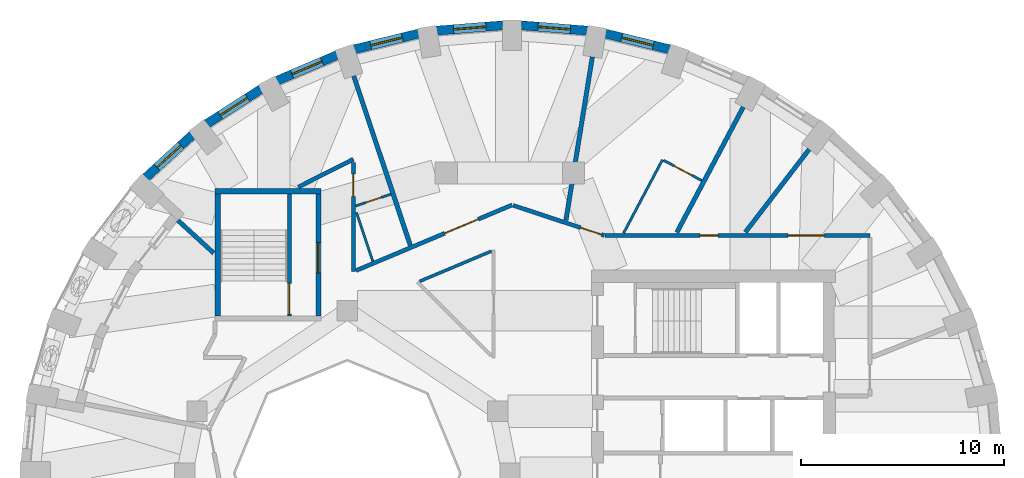
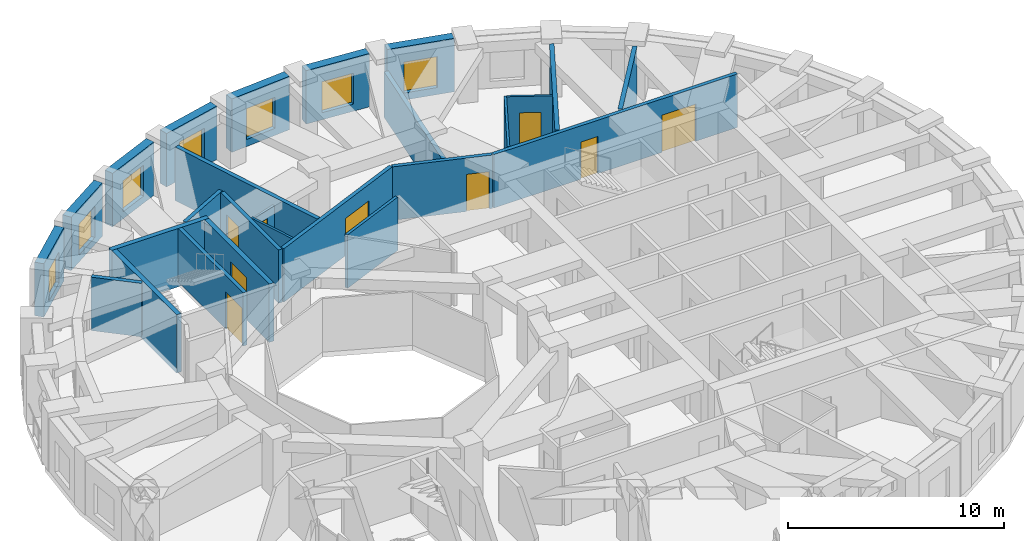
# One storey, part 7 of 11: 26 walls, 9 doors, 7 windows, 16 openings.
"""IFC4 building model written with IfcOpenShell, lengths in metres."""

from ifc_helpers import new_model, si_unit, direction, frame, frame_2d, origin, place, context, subcontext, project, spatial, rectangle, extrude, material, layer, layer_set, type_object, element, fill, save


model = new_model("IFC4")

# Units and contexts
model_context = context("Model", 3, precision=1e-05, world=origin(), true_north=direction((0.0, 1.0)))
body_context = subcontext(model_context, "Body", "Model", "MODEL_VIEW")
ifc_project = project(units=[si_unit("LENGTHUNIT", "METRE"), si_unit("AREAUNIT", "SQUARE_METRE"), si_unit("VOLUMEUNIT", "CUBIC_METRE"), si_unit("PLANEANGLEUNIT", "RADIAN"), si_unit("MASSUNIT", "GRAM", prefix="KILO")], contexts=[model_context])

# Site, building, storey
site_placement = place(None, origin())
site = spatial("IfcSite", under=ifc_project, at=site_placement, CompositionType="ELEMENT")
building_placement = place(site_placement, origin())
building = spatial("IfcBuilding", under=site, at=building_placement, Name="Taillehof Tower", CompositionType="ELEMENT")
storey_placement = place(building_placement, frame((0.0, 0.0, 161.60009765625)))
storey = spatial("IfcBuildingStorey", under=building, at=storey_placement, Name="L45", CompositionType="ELEMENT", Elevation=161.60009765625)

# Wall, opening, window
ifc_material_1 = material(Name="Brick masonry", Category="masonry")
ifc_layer_1 = layer(ifc_material_1, 0.449951171875)
ifc_layer_set_1 = layer_set([ifc_layer_1], Name="Brick infill wall 450")
wall_type_1 = type_object("IfcWallType", Name="Brick infill wall 450", PredefinedType="SOLIDWALL", material=ifc_layer_set_1)
wall_1_placement = place(storey_placement, frame((7.843017578125, 20.8623046875, 0.0), z_axis=(0.0, 0.0, 1.0), x_axis=(-0.971237178372, 0.238114139328, 0.0)))
wall_1 = element("IfcWall", 1, at=wall_1_placement, inside=storey, type_object=wall_type_1, Name="Brick wall L45 bay 8", PredefinedType="SOLIDWALL", context=body_context, shape_type="SweptSolid", body=[
    extrude(rectangle(XDim=3.23681640625, YDim=0.449951171875, at=frame_2d((1.618408203125, 0.0))), origin(), (0.0, 0.0, 1.0), 3.02001953125),
])
opening_1_placement = place(wall_1_placement, frame((0.818359375, 0.0, 0.39990234375)))
opening_1 = element("IfcOpeningElement", 2, at=opening_1_placement, cuts=wall_1, Name="Opening W3", PredefinedType="OPENING", context=body_context, shape_type="SweptSolid", body=[
    extrude(rectangle(XDim=1.60009765625, YDim=1.75, at=frame_2d((0.800048828125, 0.875))), frame((0.0, 0.23486328125, 0.0), z_axis=(0.0, -1.0, 0.0), x_axis=(1.0, 0.0, 0.0)), (0.0, 0.0, 1.0), 0.469970703125),
])
ifc_material_2 = material(Name="Aluminium window frame with clear double glazing", Category="aluminium")
window_type = type_object("IfcWindowType", Name="Deep-set window 1600x1750", PartitioningType="SINGLE_PANEL", PredefinedType="WINDOW", material=ifc_material_2)
window_1_placement = place(opening_1_placement, origin())
window_1 = element("IfcWindow", 3, at=window_1_placement, inside=storey, type_object=window_type, Name="W3", OverallHeight=1.75, OverallWidth=1.60009765625, PartitioningType="SINGLE_PANEL", PredefinedType="WINDOW", context=body_context, shape_type="SweptSolid", body=[
    extrude(rectangle(XDim=1.60009765625, YDim=1.75, at=frame_2d((0.800048828125, 0.875))), frame((0.0, 0.034912109375, 0.0), z_axis=(0.0, -1.0, 0.0), x_axis=(1.0, 0.0, 0.0)), (0.0, 0.0, 1.0), 0.06005859375),
])
fill(opening_1, window_1)

wall_2_placement = place(storey_placement, frame((3.80078125, 21.778076171875, 0.0), z_axis=(0.0, 0.0, 1.0), x_axis=(-0.996812416891, 0.079780984773, 0.0)))
wall_2 = element("IfcWall", 4, at=wall_2_placement, inside=storey, type_object=wall_type_1, Name="Brick wall L45 bay 9", PredefinedType="SOLIDWALL", context=body_context, shape_type="SweptSolid", body=[
    extrude(rectangle(XDim=3.256103515625, YDim=0.449951171875, at=frame_2d((1.6279296875, 0.0))), origin(), (0.0, 0.0, 1.0), 3.02001953125),
])
opening_2_placement = place(wall_2_placement, frame((0.827880859375, 0.0, 0.39990234375)))
opening_2 = element("IfcOpeningElement", 5, at=opening_2_placement, cuts=wall_2, Name="Opening W3", PredefinedType="OPENING", context=body_context, shape_type="SweptSolid", body=[
    extrude(rectangle(XDim=1.60009765625, YDim=1.75, at=frame_2d((0.800048828125, 0.875))), frame((0.0, 0.23486328125, 0.0), z_axis=(0.0, -1.0, 0.0), x_axis=(1.0, 0.0, 0.0)), (0.0, 0.0, 1.0), 0.469970703125),
])
window_2_placement = place(opening_2_placement, origin())
window_2 = element("IfcWindow", 6, at=window_2_placement, inside=storey, type_object=window_type, Name="W3", OverallHeight=1.75, OverallWidth=1.60009765625, PartitioningType="SINGLE_PANEL", PredefinedType="WINDOW", context=body_context, shape_type="SweptSolid", body=[
    extrude(rectangle(XDim=1.60009765625, YDim=1.75, at=frame_2d((0.800048828125, 0.875))), frame((0.0, 0.034912109375, 0.0), z_axis=(0.0, -1.0, 0.0), x_axis=(1.0, 0.0, 0.0)), (0.0, 0.0, 1.0), 0.06005859375),
])
fill(opening_2, window_2)

wall_3_placement = place(storey_placement, frame((-0.35498046875, 22.037841796875, 0.0), z_axis=(0.0, 0.0, 1.0), x_axis=(-0.996812416891, -0.079780984773, 0.0)))
wall_3 = element("IfcWall", 7, at=wall_3_placement, inside=storey, type_object=wall_type_1, Name="Brick wall L45 bay 10", PredefinedType="SOLIDWALL", context=body_context, shape_type="SweptSolid", body=[
    extrude(rectangle(XDim=3.256103515625, YDim=0.449951171875, at=frame_2d((1.6279296875, 0.0))), origin(), (0.0, 0.0, 1.0), 3.02001953125),
])
opening_3_placement = place(wall_3_placement, frame((0.827880859375, 0.0, 0.39990234375)))
opening_3 = element("IfcOpeningElement", 8, at=opening_3_placement, cuts=wall_3, Name="Opening W3", PredefinedType="OPENING", context=body_context, shape_type="SweptSolid", body=[
    extrude(rectangle(XDim=1.60009765625, YDim=1.75, at=frame_2d((0.800048828125, 0.875))), frame((0.0, 0.23486328125, 0.0), z_axis=(0.0, -1.0, 0.0), x_axis=(1.0, 0.0, 0.0)), (0.0, 0.0, 1.0), 0.469970703125),
])
window_3_placement = place(opening_3_placement, origin())
window_3 = element("IfcWindow", 9, at=window_3_placement, inside=storey, type_object=window_type, Name="W3", OverallHeight=1.75, OverallWidth=1.60009765625, PartitioningType="SINGLE_PANEL", PredefinedType="WINDOW", context=body_context, shape_type="SweptSolid", body=[
    extrude(rectangle(XDim=1.60009765625, YDim=1.75, at=frame_2d((0.800048828125, 0.875))), frame((0.0, 0.034912109375, 0.0), z_axis=(0.0, -1.0, 0.0), x_axis=(1.0, 0.0, 0.0)), (0.0, 0.0, 1.0), 0.06005859375),
])
fill(opening_3, window_3)

wall_4_placement = place(storey_placement, frame((-4.499267578125, 21.633056640625, 0.0), z_axis=(0.0, 0.0, 1.0), x_axis=(-0.971232901476, -0.238131583563, 0.0)))
wall_4 = element("IfcWall", 10, at=wall_4_placement, inside=storey, type_object=wall_type_1, Name="Brick wall L45 bay 11", PredefinedType="SOLIDWALL", context=body_context, shape_type="SweptSolid", body=[
    extrude(rectangle(XDim=3.236572265625, YDim=0.449951171875, at=frame_2d((1.6181640625, 0.0))), origin(), (0.0, 0.0, 1.0), 3.02001953125),
])
opening_4_placement = place(wall_4_placement, frame((0.818359375, 0.0, 0.39990234375)))
opening_4 = element("IfcOpeningElement", 11, at=opening_4_placement, cuts=wall_4, Name="Opening W3", PredefinedType="OPENING", context=body_context, shape_type="SweptSolid", body=[
    extrude(rectangle(XDim=1.60009765625, YDim=1.75, at=frame_2d((0.800048828125, 0.875))), frame((0.0, 0.23486328125, 0.0), z_axis=(0.0, -1.0, 0.0), x_axis=(1.0, 0.0, 0.0)), (0.0, 0.0, 1.0), 0.469970703125),
])
window_4_placement = place(opening_4_placement, origin())
window_4 = element("IfcWindow", 12, at=window_4_placement, inside=storey, type_object=window_type, Name="W3", OverallHeight=1.75, OverallWidth=1.60009765625, PartitioningType="SINGLE_PANEL", PredefinedType="WINDOW", context=body_context, shape_type="SweptSolid", body=[
    extrude(rectangle(XDim=1.60009765625, YDim=1.75, at=frame_2d((0.800048828125, 0.875))), frame((0.0, 0.034912109375, 0.0), z_axis=(0.0, -1.0, 0.0), x_axis=(1.0, 0.0, 0.0)), (0.0, 0.0, 1.0), 0.06005859375),
])
fill(opening_4, window_4)

wall_5_placement = place(storey_placement, frame((-8.50634765625, 20.574462890625, 0.0), z_axis=(0.0, 0.0, 1.0), x_axis=(-0.919798725687, -0.392390499663, 0.0)))
wall_5 = element("IfcWall", 13, at=wall_5_placement, inside=storey, type_object=wall_type_1, Name="Brick wall L45 bay 12", PredefinedType="SOLIDWALL", context=body_context, shape_type="SweptSolid", body=[
    extrude(rectangle(XDim=3.200439453125, YDim=0.449951171875, at=frame_2d((1.60009765625, 0.0))), origin(), (0.0, 0.0, 1.0), 3.02001953125),
])
opening_5_placement = place(wall_5_placement, frame((0.80029296875, 0.0, 0.39990234375)))
opening_5 = element("IfcOpeningElement", 14, at=opening_5_placement, cuts=wall_5, Name="Opening W3", PredefinedType="OPENING", context=body_context, shape_type="SweptSolid", body=[
    extrude(rectangle(XDim=1.60009765625, YDim=1.75, at=frame_2d((0.800048828125, 0.875))), frame((0.0, 0.23486328125, 0.0), z_axis=(0.0, -1.0, 0.0), x_axis=(1.0, 0.0, 0.0)), (0.0, 0.0, 1.0), 0.469970703125),
])
window_5_placement = place(opening_5_placement, origin())
window_5 = element("IfcWindow", 15, at=window_5_placement, inside=storey, type_object=window_type, Name="W3", OverallHeight=1.75, OverallWidth=1.60009765625, PartitioningType="SINGLE_PANEL", PredefinedType="WINDOW", context=body_context, shape_type="SweptSolid", body=[
    extrude(rectangle(XDim=1.60009765625, YDim=1.75, at=frame_2d((0.800048828125, 0.875))), frame((0.0, 0.034912109375, 0.0), z_axis=(0.0, -1.0, 0.0), x_axis=(1.0, 0.0, 0.0)), (0.0, 0.0, 1.0), 0.06005859375),
])
fill(opening_5, window_5)

wall_6_placement = place(storey_placement, frame((-12.2548828125, 18.893310546875, 0.0), z_axis=(0.0, 0.0, 1.0), x_axis=(-0.842030726237, -0.539429565442, 0.0)))
wall_6 = element("IfcWall", 16, at=wall_6_placement, inside=storey, type_object=wall_type_1, Name="Brick wall L45 bay 13", PredefinedType="SOLIDWALL", context=body_context, shape_type="SweptSolid", body=[
    extrude(rectangle(XDim=3.1513671875, YDim=0.449951171875, at=frame_2d((1.57568359375, 0.0))), origin(), (0.0, 0.0, 1.0), 3.02001953125),
])
opening_6_placement = place(wall_6_placement, frame((0.775634765625, 0.0, 0.39990234375)))
opening_6 = element("IfcOpeningElement", 17, at=opening_6_placement, cuts=wall_6, Name="Opening W3", PredefinedType="OPENING", context=body_context, shape_type="SweptSolid", body=[
    extrude(rectangle(XDim=1.60009765625, YDim=1.75, at=frame_2d((0.800048828125, 0.875))), frame((0.0, 0.23486328125, 0.0), z_axis=(0.0, -1.0, 0.0), x_axis=(1.0, 0.0, 0.0)), (0.0, 0.0, 1.0), 0.469970703125),
])
window_6_placement = place(opening_6_placement, origin())
window_6 = element("IfcWindow", 18, at=window_6_placement, inside=storey, type_object=window_type, Name="W3", OverallHeight=1.75, OverallWidth=1.60009765625, PartitioningType="SINGLE_PANEL", PredefinedType="WINDOW", context=body_context, shape_type="SweptSolid", body=[
    extrude(rectangle(XDim=1.60009765625, YDim=1.75, at=frame_2d((0.800048828125, 0.875))), frame((0.0, 0.034912109375, 0.0), z_axis=(0.0, -1.0, 0.0), x_axis=(1.0, 0.0, 0.0)), (0.0, 0.0, 1.0), 0.06005859375),
])
fill(opening_6, window_6)

wall_7_placement = place(storey_placement, frame((-15.630126953125, 16.638671875, 0.0), z_axis=(0.0, 0.0, 1.0), x_axis=(-0.737808755941, -0.675009807082, 0.0)))
wall_7 = element("IfcWall", 19, at=wall_7_placement, inside=storey, type_object=wall_type_1, Name="Brick wall L45 bay 14", PredefinedType="SOLIDWALL", context=body_context, shape_type="SweptSolid", body=[
    extrude(rectangle(XDim=3.094482421875, YDim=0.449951171875, at=frame_2d((1.54736328125, 0.0))), origin(), (0.0, 0.0, 1.0), 3.02001953125),
])
opening_7_placement = place(wall_7_placement, frame((0.747314453125, 0.0, 0.39990234375)))
opening_7 = element("IfcOpeningElement", 20, at=opening_7_placement, cuts=wall_7, Name="Opening W3", PredefinedType="OPENING", context=body_context, shape_type="SweptSolid", body=[
    extrude(rectangle(XDim=1.60009765625, YDim=1.75, at=frame_2d((0.800048828125, 0.875))), frame((0.0, 0.23486328125, 0.0), z_axis=(0.0, -1.0, 0.0), x_axis=(1.0, 0.0, 0.0)), (0.0, 0.0, 1.0), 0.469970703125),
])
window_7_placement = place(opening_7_placement, origin())
window_7 = element("IfcWindow", 21, at=window_7_placement, inside=storey, type_object=window_type, Name="W3", OverallHeight=1.75, OverallWidth=1.60009765625, PartitioningType="SINGLE_PANEL", PredefinedType="WINDOW", context=body_context, shape_type="SweptSolid", body=[
    extrude(rectangle(XDim=1.60009765625, YDim=1.75, at=frame_2d((0.800048828125, 0.875))), frame((0.0, 0.034912109375, 0.0), z_axis=(0.0, -1.0, 0.0), x_axis=(1.0, 0.0, 0.0)), (0.0, 0.0, 1.0), 0.06005859375),
])
fill(opening_7, window_7)

# Wall
ifc_material_3 = material(Name="Gypsum board on steel studs, two layers each side", Category="steel")
ifc_layer_2 = layer(ifc_material_3, 0.199951171875)
ifc_layer_set_2 = layer_set([ifc_layer_2], Name="Compartment wall corridor 200")
wall_type_2 = type_object("IfcWallType", Name="Compartment wall corridor 200", PredefinedType="PARTITIONING", material=ifc_layer_set_2)
wall_8_placement = place(storey_placement, frame((-10.416259765625, 14.08154296875, 0.0), z_axis=(0.0, 0.0, 1.0), x_axis=(0.892396808139, 0.451251522793, 0.0)))
element("IfcWall", 22, at=wall_8_placement, inside=storey, type_object=wall_type_2, Name="Compartment wall", PredefinedType="PARTITIONING", context=body_context, shape_type="SweptSolid", body=[
    extrude(rectangle(XDim=3.0439453125, YDim=0.199951171875, at=frame_2d((1.52197265625, 0.0))), origin(), (0.0, 0.0, 1.0), 3.02001953125),
])

# Wall, opening, door
wall_9_placement = place(storey_placement, frame((-7.699951171875, 15.294921875, 0.0), z_axis=(0.0, 0.0, 1.0), x_axis=(0.0, -1.0, 0.0)))
wall_9 = element("IfcWall", 23, at=wall_9_placement, inside=storey, type_object=wall_type_2, Name="Compartment wall", PredefinedType="PARTITIONING", context=body_context, shape_type="SweptSolid", body=[
    extrude(rectangle(XDim=5.375, YDim=0.199951171875, at=frame_2d((2.6875, 0.0))), origin(), (0.0, 0.0, 1.0), 3.02001953125),
])
opening_8_placement = place(wall_9_placement, frame((0.5703125, 0.0, 0.0)))
opening_8 = element("IfcOpeningElement", 24, at=opening_8_placement, cuts=wall_9, Name="Opening D4544", PredefinedType="OPENING", context=body_context, shape_type="SweptSolid", body=[
    extrude(rectangle(XDim=1.10009765625, YDim=2.10009765625, at=frame_2d((0.550048828125, 1.050048828125))), frame((0.0, 0.10986328125, 0.0), z_axis=(0.0, -1.0, 0.0), x_axis=(1.0, 0.0, 0.0)), (0.0, 0.0, 1.0), 0.219970703125),
])
ifc_material_4 = material(Name="Timber door leaf in steel frame", Category="steel")
door_type_1 = type_object("IfcDoorType", Name="Suite entrance door EI 30 1100 x 2100", OperationType="SINGLE_SWING_LEFT", PredefinedType="DOOR", material=ifc_material_4)
door_1_placement = place(opening_8_placement, origin())
door_1 = element("IfcDoor", 25, at=door_1_placement, inside=storey, type_object=door_type_1, Name="D4544", OperationType="SINGLE_SWING_RIGHT", OverallHeight=2.10009765625, OverallWidth=1.10009765625, PredefinedType="DOOR", context=body_context, shape_type="SweptSolid", body=[
    extrude(rectangle(XDim=1.10009765625, YDim=2.10009765625, at=frame_2d((0.550048828125, 1.050048828125))), frame((0.0, 0.02490234375, 0.0), z_axis=(0.0, -1.0, 0.0), x_axis=(1.0, 0.0, 0.0)), (0.0, 0.0, 1.0), 0.050048828125),
])
fill(opening_8, door_1)

wall_10_placement = place(storey_placement, frame((-7.570068359375, 9.974609375, 0.0), z_axis=(0.0, 0.0, 1.0), x_axis=(0.921815879705, 0.387628022624, 0.0)))
wall_10 = element("IfcWall", 26, at=wall_10_placement, inside=storey, type_object=wall_type_2, Name="Compartment wall", PredefinedType="PARTITIONING", context=body_context, shape_type="SweptSolid", body=[
    extrude(rectangle(XDim=8.32080078125, YDim=0.199951171875, at=frame_2d((4.160400390625, 0.0))), origin(), (0.0, 0.0, 1.0), 3.02001953125),
])
opening_9_placement = place(wall_10_placement, frame((4.721435546875, 0.0, 0.0)))
opening_9 = element("IfcOpeningElement", 27, at=opening_9_placement, cuts=wall_10, Name="Opening D4543", PredefinedType="OPENING", context=body_context, shape_type="SweptSolid", body=[
    extrude(rectangle(XDim=1.800048828125, YDim=2.10009765625, at=frame_2d((0.89990234375, 1.050048828125))), frame((0.0, 0.10986328125, 0.0), z_axis=(0.0, -1.0, 0.0), x_axis=(1.0, 0.0, 0.0)), (0.0, 0.0, 1.0), 0.219970703125),
])
ifc_material_5 = material(Name="Timber door leaf in steel frame", Category="steel")
door_type_2 = type_object("IfcDoorType", Name="Lounge and meeting room double door EI 30 1800 x 2100", OperationType="SINGLE_SWING_LEFT", PredefinedType="DOOR", material=ifc_material_5)
door_2_placement = place(opening_9_placement, origin())
door_2 = element("IfcDoor", 28, at=door_2_placement, inside=storey, type_object=door_type_2, Name="D4543", OperationType="DOUBLE_DOOR_SINGLE_SWING", OverallHeight=2.10009765625, OverallWidth=1.800048828125, PredefinedType="DOOR", context=body_context, shape_type="SweptSolid", body=[
    extrude(rectangle(XDim=1.800048828125, YDim=2.10009765625, at=frame_2d((0.89990234375, 1.050048828125))), frame((0.0, 0.02490234375, 0.0), z_axis=(0.0, -1.0, 0.0), x_axis=(1.0, 0.0, 0.0)), (0.0, 0.0, 1.0), 0.050048828125),
])
fill(opening_9, door_2)

wall_11_placement = place(storey_placement, frame((0.1572265625, 13.180908203125, 0.0), z_axis=(0.0, 0.0, 1.0), x_axis=(0.949543217684, -0.313636218811, 0.0)))
wall_11 = element("IfcWall", 29, at=wall_11_placement, inside=storey, type_object=wall_type_2, Name="Compartment wall", PredefinedType="PARTITIONING", context=body_context, shape_type="SweptSolid", body=[
    extrude(rectangle(XDim=4.721923828125, YDim=0.199951171875, at=frame_2d((2.36083984375, 0.0))), origin(), (0.0, 0.0, 1.0), 3.02001953125),
])
opening_10_placement = place(wall_11_placement, frame((3.48193359375, 0.0, 0.0)))
opening_10 = element("IfcOpeningElement", 30, at=opening_10_placement, cuts=wall_11, Name="Opening D4541", PredefinedType="OPENING", context=body_context, shape_type="SweptSolid", body=[
    extrude(rectangle(XDim=1.10009765625, YDim=2.10009765625, at=frame_2d((0.550048828125, 1.050048828125))), frame((0.0, 0.10986328125, 0.0), z_axis=(0.0, -1.0, 0.0), x_axis=(1.0, 0.0, 0.0)), (0.0, 0.0, 1.0), 0.219970703125),
])
ifc_material_6 = material(Name="Timber door leaf in steel frame", Category="steel")
door_type_3 = type_object("IfcDoorType", Name="Accessible guest room door EI 30 1100 x 2100", OperationType="SINGLE_SWING_LEFT", PredefinedType="DOOR", material=ifc_material_6)
door_3_placement = place(opening_10_placement, origin())
door_3 = element("IfcDoor", 31, at=door_3_placement, inside=storey, type_object=door_type_3, Name="D4541", OperationType="SINGLE_SWING_RIGHT", OverallHeight=2.10009765625, OverallWidth=1.10009765625, PredefinedType="DOOR", context=body_context, shape_type="SweptSolid", body=[
    extrude(rectangle(XDim=1.10009765625, YDim=2.10009765625, at=frame_2d((0.550048828125, 1.050048828125))), frame((0.0, 0.02490234375, 0.0), z_axis=(0.0, -1.0, 0.0), x_axis=(1.0, 0.0, 0.0)), (0.0, 0.0, 1.0), 0.050048828125),
])
fill(opening_10, door_3)

# Wall, openings, doors
wall_12_placement = place(storey_placement, frame((4.680908203125, 11.699951171875, 0.0), z_axis=(0.0, 0.0, 1.0), x_axis=(1.0, 0.0, 0.0)))
wall_12 = element("IfcWall", 32, at=wall_12_placement, inside=storey, type_object=wall_type_2, Name="Compartment wall", PredefinedType="PARTITIONING", context=body_context, shape_type="SweptSolid", body=[
    extrude(rectangle(XDim=13.01904296875, YDim=0.199951171875, at=frame_2d((6.509521484375, 0.0))), origin(), (0.0, 0.0, 1.0), 3.02001953125),
])
opening_11_placement = place(wall_12_placement, frame((4.661865234375, 0.0, 0.0)))
opening_11 = element("IfcOpeningElement", 33, at=opening_11_placement, cuts=wall_12, Name="Opening D4540", PredefinedType="OPENING", context=body_context, shape_type="SweptSolid", body=[
    extrude(rectangle(XDim=0.89990234375, YDim=2.10009765625, at=frame_2d((0.449951171875, 1.050048828125))), frame((0.0, 0.10986328125, 0.0), z_axis=(0.0, -1.0, 0.0), x_axis=(1.0, 0.0, 0.0)), (0.0, 0.0, 1.0), 0.219970703125),
])
opening_12_placement = place(wall_12_placement, frame((8.98974609375, 0.0, 0.0)))
opening_12 = element("IfcOpeningElement", 34, at=opening_12_placement, cuts=wall_12, Name="Opening D4558", PredefinedType="OPENING", context=body_context, shape_type="SweptSolid", body=[
    extrude(rectangle(XDim=1.800048828125, YDim=2.10009765625, at=frame_2d((0.89990234375, 1.050048828125))), frame((0.0, 0.10986328125, 0.0), z_axis=(0.0, -1.0, 0.0), x_axis=(1.0, 0.0, 0.0)), (0.0, 0.0, 1.0), 0.219970703125),
])
door_4_placement = place(opening_12_placement, origin())
door_4 = element("IfcDoor", 35, at=door_4_placement, inside=storey, type_object=door_type_2, Name="D4558", OperationType="DOUBLE_DOOR_SINGLE_SWING", OverallHeight=2.10009765625, OverallWidth=1.800048828125, PredefinedType="DOOR", context=body_context, shape_type="SweptSolid", body=[
    extrude(rectangle(XDim=1.800048828125, YDim=2.10009765625, at=frame_2d((0.89990234375, 1.050048828125))), frame((0.0, 0.02490234375, 0.0), z_axis=(0.0, -1.0, 0.0), x_axis=(1.0, 0.0, 0.0)), (0.0, 0.0, 1.0), 0.050048828125),
])
fill(opening_12, door_4)
ifc_material_7 = material(Name="Timber door leaf in steel frame", Category="steel")
door_type_4 = type_object("IfcDoorType", Name="Service room door EI 30 900 x 2100", OperationType="SINGLE_SWING_LEFT", PredefinedType="DOOR", material=ifc_material_7)
door_5_placement = place(opening_11_placement, origin())
door_5 = element("IfcDoor", 36, at=door_5_placement, inside=storey, type_object=door_type_4, Name="D4540", OperationType="SINGLE_SWING_LEFT", OverallHeight=2.10009765625, OverallWidth=0.89990234375, PredefinedType="DOOR", context=body_context, shape_type="SweptSolid", body=[
    extrude(rectangle(XDim=0.89990234375, YDim=2.10009765625, at=frame_2d((0.449951171875, 1.050048828125))), frame((0.0, 0.02490234375, 0.0), z_axis=(0.0, -1.0, 0.0), x_axis=(1.0, 0.0, 0.0)), (0.0, 0.0, 1.0), 0.050048828125),
])
fill(opening_11, door_5)

# Walls
ifc_material_8 = material(Name="Gypsum board on double steel studs with mineral wool", Category="steel")
ifc_layer_3 = layer(ifc_material_8, 0.219970703125)
ifc_layer_set_3 = layer_set([ifc_layer_3], Name="Compartment wall guest room 220")
wall_type_3 = type_object("IfcWallType", Name="Compartment wall guest room 220", PredefinedType="PARTITIONING", material=ifc_layer_set_3)
wall_13_placement = place(storey_placement, frame((14.7158203125, 15.937255859375, 0.0), z_axis=(0.0, 0.0, 1.0), x_axis=(-0.609997597499, -0.792403262894, 0.0)))
element("IfcWall", 37, at=wall_13_placement, inside=storey, type_object=wall_type_3, Name="Compartment wall", PredefinedType="PARTITIONING", context=body_context, shape_type="SweptSolid", body=[
    extrude(rectangle(XDim=5.140869140625, YDim=0.219970703125, at=frame_2d((2.5703125, 0.0))), origin(), (0.0, 0.0, 1.0), 3.02001953125),
])
wall_14_placement = place(storey_placement, frame((11.473876953125, 18.013427734375, 0.0), z_axis=(0.0, 0.0, 1.0), x_axis=(-0.468047008097, -0.883703569197, 0.0)))
element("IfcWall", 38, at=wall_14_placement, inside=storey, type_object=wall_type_3, Name="Compartment wall", PredefinedType="PARTITIONING", context=body_context, shape_type="SweptSolid", body=[
    extrude(rectangle(XDim=6.971435546875, YDim=0.219970703125, at=frame_2d((3.48583984375, 0.0))), origin(), (0.0, 0.0, 1.0), 3.02001953125),
])
wall_15_placement = place(storey_placement, frame((4.05224609375, 20.483642578125, 0.0), z_axis=(0.0, 0.0, 1.0), x_axis=(-0.159683255106, -0.987168302793, 0.0)))
element("IfcWall", 39, at=wall_15_placement, inside=storey, type_object=wall_type_3, Name="Compartment wall", PredefinedType="PARTITIONING", context=body_context, shape_type="SweptSolid", body=[
    extrude(rectangle(XDim=8.138427734375, YDim=0.219970703125, at=frame_2d((4.0693359375, 0.0))), origin(), (0.0, 0.0, 1.0), 2.56982421875),
])
wall_16_placement = place(storey_placement, frame((-7.682861328125, 19.544921875, 0.0), z_axis=(0.0, 0.0, 1.0), x_axis=(0.316703700313, -0.948524520615, 0.0)))
element("IfcWall", 40, at=wall_16_placement, inside=storey, type_object=wall_type_3, Name="Compartment wall", PredefinedType="PARTITIONING", context=body_context, shape_type="SweptSolid", body=[
    extrude(rectangle(XDim=8.77099609375, YDim=0.219970703125, at=frame_2d((4.385498046875, 0.0))), origin(), (0.0, 0.0, 1.0), 3.02001953125),
])
wall_17_placement = place(storey_placement, frame((-16.333984375, 12.445068359375, 0.0), z_axis=(0.0, 0.0, 1.0), x_axis=(0.737857346278, -0.674956692347, 0.0)))
element("IfcWall", 41, at=wall_17_placement, inside=storey, type_object=wall_type_3, Name="Compartment wall", PredefinedType="PARTITIONING", context=body_context, shape_type="SweptSolid", body=[
    extrude(rectangle(XDim=2.390869140625, YDim=0.219970703125, at=frame_2d((1.1953125, 0.0))), origin(), (0.0, 0.0, 1.0), 3.02001953125),
])
ifc_material_9 = material(Name="Gypsum board on steel studs, two layers each side", Category="steel")
ifc_layer_4 = layer(ifc_material_9, 0.14990234375)
ifc_layer_set_4 = layer_set([ifc_layer_4], Name="Compartment wall service room 150")
wall_type_4 = type_object("IfcWallType", Name="Compartment wall service room 150", PredefinedType="PARTITIONING", material=ifc_layer_set_4)
wall_18_placement = place(storey_placement, frame((-4.44384765625, 9.445068359375, 0.0), z_axis=(0.0, 0.0, 1.0), x_axis=(0.921822351054, 0.387612632788, 0.0)))
element("IfcWall", 42, at=wall_18_placement, inside=storey, type_object=wall_type_4, Name="Compartment wall", PredefinedType="PARTITIONING", context=body_context, shape_type="SweptSolid", body=[
    extrude(rectangle(XDim=3.83203125, YDim=0.14990234375, at=frame_2d((1.916015625, 0.0))), origin(), (0.0, 0.0, 1.0), 3.02001953125),
])
ifc_material_10 = material(Name="Gypsum board on steel studs, moisture resistant", Category="steel")
ifc_layer_5 = layer(ifc_material_10, 0.1201171875)
ifc_layer_set_5 = layer_set([ifc_layer_5], Name="En-suite wall 120")
wall_type_5 = type_object("IfcWallType", Name="En-suite wall 120", PredefinedType="PARTITIONING", material=ifc_layer_set_5)
wall_19_placement = place(storey_placement, frame((5.589599609375, 11.817626953125, 0.0), z_axis=(0.0, 0.0, 1.0), x_axis=(0.468055206857, 0.883699226736, 0.0)))
element("IfcWall", 43, at=wall_19_placement, inside=storey, type_object=wall_type_5, Name="En-suite wall", PredefinedType="PARTITIONING", context=body_context, shape_type="SweptSolid", body=[
    extrude(rectangle(XDim=4.085205078125, YDim=0.1201171875, at=frame_2d((2.04248046875, 0.0))), origin(), (0.0, 0.0, 1.0), 3.02001953125),
])
wall_20_placement = place(storey_placement, frame((-6.74755859375, 10.428955078125, 0.0), z_axis=(0.0, 0.0, 1.0), x_axis=(-0.316690754737, 0.948528842927, 0.0)))
element("IfcWall", 44, at=wall_20_placement, inside=storey, type_object=wall_type_5, Name="En-suite wall", PredefinedType="PARTITIONING", context=body_context, shape_type="SweptSolid", body=[
    extrude(rectangle(XDim=2.531005859375, YDim=0.1201171875, at=frame_2d((1.265625, 0.0))), origin(), (0.0, 0.0, 1.0), 3.02001953125),
])

# Wall, opening, door
wall_21_placement = place(storey_placement, frame((7.5546875, 15.399658203125, 0.0), z_axis=(0.0, 0.0, 1.0), x_axis=(0.883681952223, -0.468087820088, 0.0)))
wall_21 = element("IfcWall", 45, at=wall_21_placement, inside=storey, type_object=wall_type_5, Name="En-suite wall", PredefinedType="PARTITIONING", context=body_context, shape_type="SweptSolid", body=[
    extrude(rectangle(XDim=2.130126953125, YDim=0.1201171875, at=frame_2d((1.06494140625, 0.0))), origin(), (0.0, 0.0, 1.0), 3.02001953125),
])
opening_13_placement = place(wall_21_placement, frame((0.590087890625, 0.0, 0.0)))
opening_13 = element("IfcOpeningElement", 46, at=opening_13_placement, cuts=wall_21, Name="Opening D4542", PredefinedType="OPENING", context=body_context, shape_type="SweptSolid", body=[
    extrude(rectangle(XDim=1.0, YDim=2.10009765625, at=frame_2d((0.5, 1.050048828125))), frame((0.0, 0.070068359375, 0.0), z_axis=(0.0, -1.0, 0.0), x_axis=(1.0, 0.0, 0.0)), (0.0, 0.0, 1.0), 0.14013671875),
])
ifc_material_11 = material(Name="Timber door leaf in steel frame", Category="steel")
door_type_5 = type_object("IfcDoorType", Name="Accessible en-suite door 1000 x 2100", OperationType="SINGLE_SWING_LEFT", PredefinedType="DOOR", material=ifc_material_11)
door_6_placement = place(opening_13_placement, origin())
door_6 = element("IfcDoor", 47, at=door_6_placement, inside=storey, type_object=door_type_5, Name="D4542", OperationType="SINGLE_SWING_RIGHT", OverallHeight=2.10009765625, OverallWidth=1.0, PredefinedType="DOOR", context=body_context, shape_type="SweptSolid", body=[
    extrude(rectangle(XDim=1.0, YDim=2.10009765625, at=frame_2d((0.5, 1.050048828125))), frame((0.0, 0.02490234375, 0.0), z_axis=(0.0, -1.0, 0.0), x_axis=(1.0, 0.0, 0.0)), (0.0, 0.0, 1.0), 0.050048828125),
])
fill(opening_13, door_6)

wall_22_placement = place(storey_placement, frame((-7.59375, 13.15283203125, 0.0), z_axis=(0.0, 0.0, 1.0), x_axis=(0.948563158378, 0.316587957079, 0.0)))
wall_22 = element("IfcWall", 48, at=wall_22_placement, inside=storey, type_object=wall_type_5, Name="En-suite wall", PredefinedType="PARTITIONING", context=body_context, shape_type="SweptSolid", body=[
    extrude(rectangle(XDim=1.830078125, YDim=0.1201171875, at=frame_2d((0.9150390625, 0.0))), origin(), (0.0, 0.0, 1.0), 2.56982421875),
])
opening_14_placement = place(wall_22_placement, frame((0.539794921875, 0.0, 0.0)))
opening_14 = element("IfcOpeningElement", 49, at=opening_14_placement, cuts=wall_22, Name="Opening D4545", PredefinedType="OPENING", context=body_context, shape_type="SweptSolid", body=[
    extrude(rectangle(XDim=0.800048828125, YDim=2.10009765625, at=frame_2d((0.39990234375, 1.050048828125))), frame((0.0, 0.070068359375, 0.0), z_axis=(0.0, -1.0, 0.0), x_axis=(1.0, 0.0, 0.0)), (0.0, 0.0, 1.0), 0.14013671875),
])
ifc_material_12 = material(Name="Timber door leaf in steel frame", Category="steel")
door_type_6 = type_object("IfcDoorType", Name="En-suite door 800 x 2100", OperationType="SINGLE_SWING_LEFT", PredefinedType="DOOR", material=ifc_material_12)
door_7_placement = place(opening_14_placement, origin())
door_7 = element("IfcDoor", 50, at=door_7_placement, inside=storey, type_object=door_type_6, Name="D4545", OperationType="SINGLE_SWING_LEFT", OverallHeight=2.10009765625, OverallWidth=0.800048828125, PredefinedType="DOOR", context=body_context, shape_type="SweptSolid", body=[
    extrude(rectangle(XDim=0.800048828125, YDim=2.10009765625, at=frame_2d((0.39990234375, 1.050048828125))), frame((0.0, 0.02490234375, 0.0), z_axis=(0.0, -1.0, 0.0), x_axis=(1.0, 0.0, 0.0)), (0.0, 0.0, 1.0), 0.050048828125),
])
fill(opening_14, door_7)

ifc_material_13 = material(Name="Concrete C50/60", Category="concrete")
ifc_layer_6 = layer(ifc_material_13, 0.199951171875)
ifc_layer_set_6 = layer_set([ifc_layer_6], Name="Shaft wall C50/60 200")
wall_type_6 = type_object("IfcWallType", Name="Shaft wall C50/60 200", PredefinedType="SHEAR", material=ifc_layer_set_6)
wall_23_placement = place(storey_placement, frame((-10.85009765625, 7.75, 0.0), z_axis=(0.0, 0.0, 1.0), x_axis=(0.0, 1.0, 0.0)))
wall_23 = element("IfcWall", 51, at=wall_23_placement, inside=storey, type_object=wall_type_6, Name="Shaft wall SW", PredefinedType="SHEAR", context=body_context, shape_type="SweptSolid", body=[
    extrude(rectangle(XDim=6.0, YDim=0.199951171875, at=frame_2d((3.0, 0.0))), origin(), (0.0, 0.0, 1.0), 3.02001953125),
])
opening_15_placement = place(wall_23_placement, frame((0.10009765625, 0.0, 0.0)))
opening_15 = element("IfcOpeningElement", 52, at=opening_15_placement, cuts=wall_23, Name="Opening D4512", PredefinedType="OPENING", context=body_context, shape_type="SweptSolid", body=[
    extrude(rectangle(XDim=1.5, YDim=2.10009765625, at=frame_2d((0.75, 1.050048828125))), frame((0.0, 0.10986328125, 0.0), z_axis=(0.0, -1.0, 0.0), x_axis=(1.0, 0.0, 0.0)), (0.0, 0.0, 1.0), 0.219970703125),
])
ifc_material_14 = material(Name="Steel-faced fire door", Category="steel")
door_type_7 = type_object("IfcDoorType", Name="Stair door 1500x2100", OperationType="DOUBLE_DOOR_SINGLE_SWING", PredefinedType="DOOR", material=ifc_material_14)
door_8_placement = place(opening_15_placement, origin())
door_8 = element("IfcDoor", 53, at=door_8_placement, inside=storey, type_object=door_type_7, Name="Stair lobby door S3", OperationType="DOUBLE_DOOR_SINGLE_SWING", OverallHeight=2.10009765625, OverallWidth=1.5, PredefinedType="DOOR", context=body_context, shape_type="SweptSolid", body=[
    extrude(rectangle(XDim=1.5, YDim=2.10009765625, at=frame_2d((0.75, 1.050048828125))), frame((0.0, 0.02490234375, 0.0), z_axis=(0.0, -1.0, 0.0), x_axis=(1.0, 0.0, 0.0)), (0.0, 0.0, 1.0), 0.050048828125),
])
fill(opening_15, door_8)

# Wall
ifc_material_15 = material(Name="Concrete C50/60", Category="concrete")
ifc_layer_7 = layer(ifc_material_15, 0.25)
ifc_layer_set_7 = layer_set([ifc_layer_7], Name="Stair wall C50/60 250")
wall_type_7 = type_object("IfcWallType", Name="Stair wall C50/60 250", PredefinedType="SHEAR", material=ifc_layer_set_7)
wall_24_placement = place(storey_placement, frame((-14.375, 7.75, -0.280029296875), z_axis=(0.0, 0.0, 1.0), x_axis=(0.0, 1.0, 0.0)))
element("IfcWall", 54, at=wall_24_placement, inside=storey, type_object=wall_type_7, Name="Stair wall SC", PredefinedType="SHEAR", context=body_context, shape_type="SweptSolid", body=[
    extrude(rectangle(XDim=6.0, YDim=0.25, at=frame_2d((3.0, 0.0))), origin(), (0.0, 0.0, 1.0), 3.300048828125),
])

# Wall, opening, door
wall_25_placement = place(storey_placement, frame((-9.425048828125, 7.75, -0.280029296875), z_axis=(0.0, 0.0, 1.0), x_axis=(0.0, 1.0, 0.0)))
wall_25 = element("IfcWall", 55, at=wall_25_placement, inside=storey, type_object=wall_type_7, Name="Stair wall SC", PredefinedType="SHEAR", context=body_context, shape_type="SweptSolid", body=[
    extrude(rectangle(XDim=6.0, YDim=0.25, at=frame_2d((3.0, 0.0))), origin(), (0.0, 0.0, 1.0), 3.300048828125),
])
opening_16_placement = place(wall_25_placement, frame((2.10009765625, 0.0, 0.280029296875)))
opening_16 = element("IfcOpeningElement", 56, at=opening_16_placement, cuts=wall_25, Name="Opening D4515", PredefinedType="OPENING", context=body_context, shape_type="SweptSolid", body=[
    extrude(rectangle(XDim=1.5, YDim=2.10009765625, at=frame_2d((0.75, 1.050048828125))), frame((0.0, 0.135009765625, 0.0), z_axis=(0.0, -1.0, 0.0), x_axis=(1.0, 0.0, 0.0)), (0.0, 0.0, 1.0), 0.27001953125),
])
door_9_placement = place(opening_16_placement, origin())
door_9 = element("IfcDoor", 57, at=door_9_placement, inside=storey, type_object=door_type_7, Name="Stair door S3", OperationType="DOUBLE_DOOR_SINGLE_SWING", OverallHeight=2.10009765625, OverallWidth=1.5, PredefinedType="DOOR", context=body_context, shape_type="SweptSolid", body=[
    extrude(rectangle(XDim=1.5, YDim=2.10009765625, at=frame_2d((0.75, 1.050048828125))), frame((0.0, 0.02490234375, 0.0), z_axis=(0.0, -1.0, 0.0), x_axis=(1.0, 0.0, 0.0)), (0.0, 0.0, 1.0), 0.050048828125),
])
fill(opening_16, door_9)

# Wall
wall_26_placement = place(storey_placement, frame((-14.5, 13.875, -0.280029296875), z_axis=(0.0, 0.0, 1.0), x_axis=(1.0, 0.0, 0.0)))
element("IfcWall", 58, at=wall_26_placement, inside=storey, type_object=wall_type_7, Name="Stair wall SC", PredefinedType="SHEAR", context=body_context, shape_type="SweptSolid", body=[
    extrude(rectangle(XDim=5.199951171875, YDim=0.25, at=frame_2d((2.60009765625, 0.0))), origin(), (0.0, 0.0, 1.0), 3.300048828125),
])

save(model, "model.ifc")
